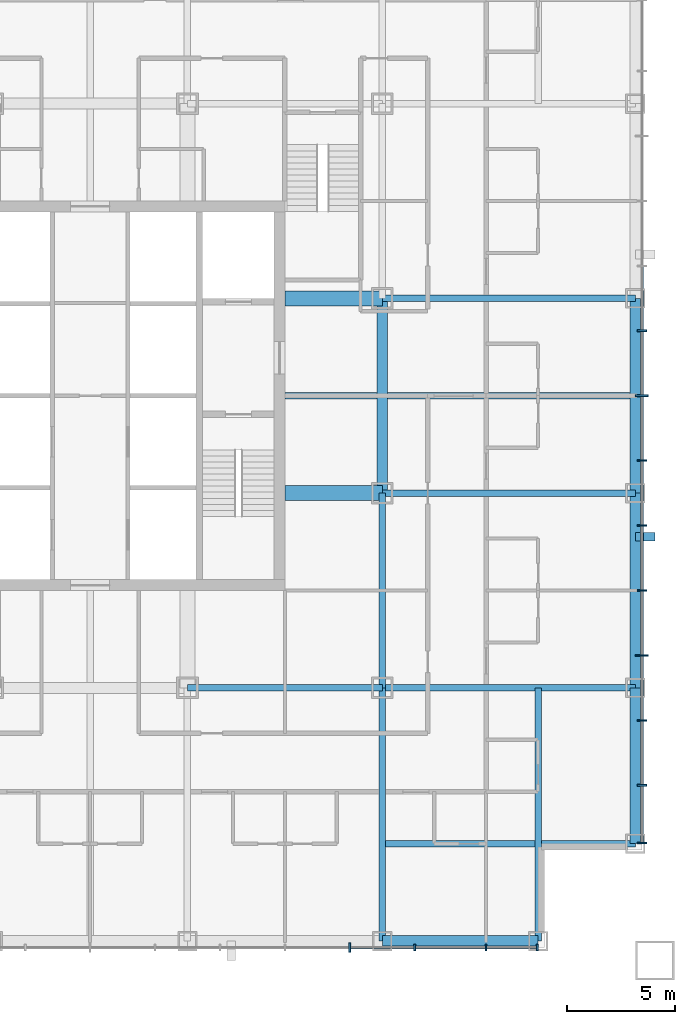
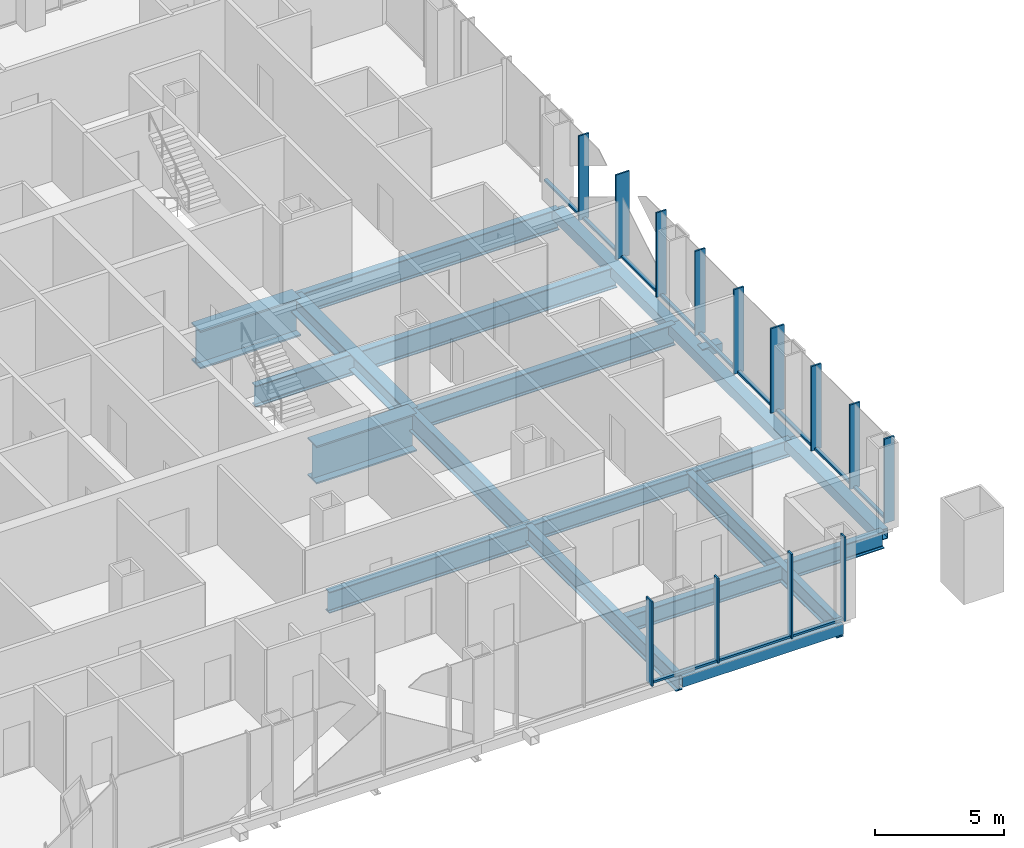
# One storey, part 3 of 13: 26 members, 16 beams, 2 elements without a shape of their own.
"""IFC4 building model written with IfcOpenShell, lengths in metres."""

from ifc_helpers import new_model, si_unit, direction, frame, origin, origin_2d, place, context, subcontext, project, spatial, rectangle, hollow_rectangle, i_section, extrude, material, layer, layer_set, material_profile, profile_set, type_object, element, aggregate, save


model = new_model("IFC4")

# Units and contexts
model_context = context("Model", 3, precision=1e-05, world=origin(), true_north=direction((0.0, 1.0)))
body_context = subcontext(model_context, "Body", "Model", "MODEL_VIEW")
ifc_project = project(units=[si_unit("LENGTHUNIT", "METRE"), si_unit("AREAUNIT", "SQUARE_METRE"), si_unit("VOLUMEUNIT", "CUBIC_METRE"), si_unit("PLANEANGLEUNIT", "RADIAN"), si_unit("MASSUNIT", "GRAM", prefix="KILO")], contexts=[model_context])

# Site, building, storey
site_placement = place(None, origin())
site = spatial("IfcSite", under=ifc_project, at=site_placement, CompositionType="ELEMENT")
building_placement = place(site_placement, origin())
building = spatial("IfcBuilding", under=site, at=building_placement, Name="Malebo Sky Hospital", CompositionType="ELEMENT")
storey_placement = place(building_placement, frame((0.0, 0.0, 43.0)))
storey = spatial("IfcBuildingStorey", under=building, at=storey_placement, Name="L09", CompositionType="ELEMENT", Elevation=43.0)

# Curtain wall, members
ifc_material_1 = material(Name="Anodised aluminium, natural silver", Category="aluminium")
ifc_layer_1 = layer(ifc_material_1, 0.25)
ifc_layer_set_1 = layer_set([ifc_layer_1], Name="WARD CURTAIN WALL NORTH AND SOUTH")
curtain_wall_type_1 = type_object("IfcCurtainWallType", Name="WARD CURTAIN WALL NORTH AND SOUTH", PredefinedType="NOTDEFINED", material=ifc_layer_set_1)
curtain_wall_1_placement = place(storey_placement, origin())
curtain_wall_1 = element("IfcCurtainWall", 1, at=curtain_wall_1_placement, inside=storey, type_object=curtain_wall_type_1, Name="NS curtain wall S", PredefinedType="NOTDEFINED")
ifc_material_profile_1 = material_profile(ifc_material_1, rectangle(XDim=0.14990234375, YDim=0.10009765625, at=origin_2d()), Name="ALUMINIUM TRANSOM 150x100")
ifc_profile_set_1 = profile_set([ifc_material_profile_1], Name="Anodised aluminium, natural silver")
member_type_1 = type_object("IfcMemberType", Name="ALUMINIUM TRANSOM 150x100", PredefinedType="USERDEFINED", material=ifc_profile_set_1)
member_1_placement = place(storey_placement, frame((80.625, 36.5, 0.050048828125), z_axis=(-1.0, 0.0, 0.0), x_axis=(0.0, -1.0, 0.0)))
member_1 = element("IfcMember", 2, at=member_1_placement, type_object=member_type_1, Name="Transom 1", ObjectType="TRANSOM", PredefinedType="USERDEFINED", context=body_context, shape_type="SweptSolid", body=[
    extrude(rectangle(XDim=0.14990234375, YDim=0.10009765625, at=origin_2d()), origin(), (0.0, 0.0, 1.0), 2.28759765625),
])
member_2_placement = place(storey_placement, frame((78.262451171875, 36.5, 0.050048828125), z_axis=(-1.0, 0.0, 0.0), x_axis=(0.0, -1.0, 0.0)))
member_2 = element("IfcMember", 3, at=member_2_placement, type_object=member_type_1, Name="Transom 2", ObjectType="TRANSOM", PredefinedType="USERDEFINED", context=body_context, shape_type="SweptSolid", body=[
    extrude(rectangle(XDim=0.14990234375, YDim=0.10009765625, at=origin_2d()), origin(), (0.0, 0.0, 1.0), 3.224853515625),
])
member_3_placement = place(storey_placement, frame((74.96240234375, 36.5, 0.050048828125), z_axis=(-1.0, 0.0, 0.0), x_axis=(0.0, -1.0, 0.0)))
member_3 = element("IfcMember", 4, at=member_3_placement, type_object=member_type_1, Name="Transom 3", ObjectType="TRANSOM", PredefinedType="USERDEFINED", context=body_context, shape_type="SweptSolid", body=[
    extrude(rectangle(XDim=0.14990234375, YDim=0.10009765625, at=origin_2d()), origin(), (0.0, 0.0, 1.0), 2.9248046875),
])

ifc_layer_2 = layer(ifc_material_1, 0.25)
ifc_layer_set_2 = layer_set([ifc_layer_2], Name="WARD CURTAIN WALL EAST AND WEST")
curtain_wall_type_2 = type_object("IfcCurtainWallType", Name="WARD CURTAIN WALL EAST AND WEST", PredefinedType="NOTDEFINED", material=ifc_layer_set_2)
curtain_wall_2_placement = place(storey_placement, origin())
curtain_wall_2 = element("IfcCurtainWall", 5, at=curtain_wall_2_placement, inside=storey, type_object=curtain_wall_type_2, Name="EW curtain wall E", PredefinedType="NOTDEFINED")
member_4_placement = place(storey_placement, frame((85.5, 67.96240234375, 0.050048828125), z_axis=(0.0, -1.0, 0.0), x_axis=(1.0, 0.0, 0.0)))
member_4 = element("IfcMember", 6, at=member_4_placement, type_object=member_type_1, Name="Transom 6", ObjectType="TRANSOM", PredefinedType="USERDEFINED", context=body_context, shape_type="SweptSolid", body=[
    extrude(rectangle(XDim=0.14990234375, YDim=0.10009765625, at=origin_2d()), origin(), (0.0, 0.0, 1.0), 2.9248046875),
])
member_5_placement = place(storey_placement, frame((85.5, 64.96240234375, 0.050048828125), z_axis=(0.0, -1.0, 0.0), x_axis=(1.0, 0.0, 0.0)))
member_5 = element("IfcMember", 7, at=member_5_placement, type_object=member_type_1, Name="Transom 7", ObjectType="TRANSOM", PredefinedType="USERDEFINED", context=body_context, shape_type="SweptSolid", body=[
    extrude(rectangle(XDim=0.14990234375, YDim=0.10009765625, at=origin_2d()), origin(), (0.0, 0.0, 1.0), 2.9248046875),
])
member_6_placement = place(storey_placement, frame((85.5, 61.96240234375, 0.050048828125), z_axis=(0.0, -1.0, 0.0), x_axis=(1.0, 0.0, 0.0)))
member_6 = element("IfcMember", 8, at=member_6_placement, type_object=member_type_1, Name="Transom 8", ObjectType="TRANSOM", PredefinedType="USERDEFINED", context=body_context, shape_type="SweptSolid", body=[
    extrude(rectangle(XDim=0.14990234375, YDim=0.10009765625, at=origin_2d()), origin(), (0.0, 0.0, 1.0), 2.9248046875),
])
member_7_placement = place(storey_placement, frame((85.5, 58.96240234375, 0.050048828125), z_axis=(0.0, -1.0, 0.0), x_axis=(1.0, 0.0, 0.0)))
member_7 = element("IfcMember", 9, at=member_7_placement, type_object=member_type_1, Name="Transom 9", ObjectType="TRANSOM", PredefinedType="USERDEFINED", context=body_context, shape_type="SweptSolid", body=[
    extrude(rectangle(XDim=0.14990234375, YDim=0.10009765625, at=origin_2d()), origin(), (0.0, 0.0, 1.0), 2.9248046875),
])
member_8_placement = place(storey_placement, frame((85.5, 55.96240234375, 0.050048828125), z_axis=(0.0, -1.0, 0.0), x_axis=(1.0, 0.0, 0.0)))
member_8 = element("IfcMember", 10, at=member_8_placement, type_object=member_type_1, Name="Transom 10", ObjectType="TRANSOM", PredefinedType="USERDEFINED", context=body_context, shape_type="SweptSolid", body=[
    extrude(rectangle(XDim=0.14990234375, YDim=0.10009765625, at=origin_2d()), origin(), (0.0, 0.0, 1.0), 2.9248046875),
])
member_9_placement = place(storey_placement, frame((85.5, 52.96240234375, 0.050048828125), z_axis=(0.0, -1.0, 0.0), x_axis=(1.0, 0.0, 0.0)))
member_9 = element("IfcMember", 11, at=member_9_placement, type_object=member_type_1, Name="Transom 11", ObjectType="TRANSOM", PredefinedType="USERDEFINED", context=body_context, shape_type="SweptSolid", body=[
    extrude(rectangle(XDim=0.14990234375, YDim=0.10009765625, at=origin_2d()), origin(), (0.0, 0.0, 1.0), 2.9248046875),
])
member_10_placement = place(storey_placement, frame((85.5, 49.96240234375, 0.050048828125), z_axis=(0.0, -1.0, 0.0), x_axis=(1.0, 0.0, 0.0)))
member_10 = element("IfcMember", 12, at=member_10_placement, type_object=member_type_1, Name="Transom 12", ObjectType="TRANSOM", PredefinedType="USERDEFINED", context=body_context, shape_type="SweptSolid", body=[
    extrude(rectangle(XDim=0.14990234375, YDim=0.10009765625, at=origin_2d()), origin(), (0.0, 0.0, 1.0), 2.9248046875),
])
member_11_placement = place(storey_placement, frame((85.5, 46.96240234375, 0.050048828125), z_axis=(0.0, -1.0, 0.0), x_axis=(1.0, 0.0, 0.0)))
member_11 = element("IfcMember", 13, at=member_11_placement, type_object=member_type_1, Name="Transom 13", ObjectType="TRANSOM", PredefinedType="USERDEFINED", context=body_context, shape_type="SweptSolid", body=[
    extrude(rectangle(XDim=0.14990234375, YDim=0.10009765625, at=origin_2d()), origin(), (0.0, 0.0, 1.0), 2.9248046875),
])
member_12_placement = place(storey_placement, frame((85.5, 43.96240234375, 0.050048828125), z_axis=(0.0, -1.0, 0.0), x_axis=(1.0, 0.0, 0.0)))
member_12 = element("IfcMember", 14, at=member_12_placement, type_object=member_type_1, Name="Transom 14", ObjectType="TRANSOM", PredefinedType="USERDEFINED", context=body_context, shape_type="SweptSolid", body=[
    extrude(rectangle(XDim=0.14990234375, YDim=0.10009765625, at=origin_2d()), origin(), (0.0, 0.0, 1.0), 2.58740234375),
])

# Member
ifc_material_2 = material(Name="Steel S355", Category="steel")
ifc_material_profile_2 = material_profile(ifc_material_2, hollow_rectangle(XDim=0.39990234375, YDim=0.39990234375, WallThickness=0.02001953125, at=origin_2d()), Name="SHS 400x20")
ifc_profile_set_2 = profile_set([ifc_material_profile_2], Name="Steel S355")
member_type_2 = type_object("IfcMemberType", Name="BRACE STRUT SHS 400x20", PredefinedType="STRUT", material=ifc_profile_set_2)
member_13_placement = place(storey_placement, frame((86.10009765625, 55.47509765625, -0.39990234375), z_axis=(-1.0, 0.0, 0.0), x_axis=(0.0, -1.0, 0.0)))
element("IfcMember", 15, at=member_13_placement, inside=storey, type_object=member_type_2, Name="Brace strut AE1 L09", PredefinedType="STRUT", context=body_context, shape_type="SweptSolid", body=[
    extrude(hollow_rectangle(XDim=0.39990234375, YDim=0.39990234375, WallThickness=0.02001953125, at=origin_2d()), origin(), (0.0, 0.0, 1.0), 0.900146484375),
])

ifc_material_profile_3 = material_profile(ifc_material_1, rectangle(XDim=0.074951171875, YDim=0.300048828125, at=origin_2d()), Name="CW1 ALUMINIUM FIN MULLION 75x300")
ifc_profile_set_3 = profile_set([ifc_material_profile_3], Name="Anodised aluminium, natural silver")
member_type_3 = type_object("IfcMemberType", Name="CW1 ALUMINIUM FIN MULLION 75x300", PredefinedType="MULLION", material=ifc_profile_set_3)
member_14_placement = place(storey_placement, frame((80.66259765625, 36.5, 0.0), z_axis=(0.0, 0.0, 1.0), x_axis=(-1.0, 0.0, 0.0)))
member_14 = element("IfcMember", 16, at=member_14_placement, type_object=member_type_3, Name="Fin mullion 1", PredefinedType="MULLION", context=body_context, shape_type="SweptSolid", body=[
    extrude(rectangle(XDim=0.074951171875, YDim=0.300048828125, at=origin_2d()), origin(), (0.0, 0.0, 1.0), 4.0),
])

member_15_placement = place(storey_placement, frame((78.300048828125, 36.5, 0.0), z_axis=(0.0, 0.0, 1.0), x_axis=(-1.0, 0.0, 0.0)))
member_15 = element("IfcMember", 17, at=member_15_placement, type_object=member_type_3, Name="Fin mullion 2", PredefinedType="MULLION", context=body_context, shape_type="SweptSolid", body=[
    extrude(rectangle(XDim=0.074951171875, YDim=0.300048828125, at=origin_2d()), origin(), (0.0, 0.0, 1.0), 4.0),
])

member_16_placement = place(storey_placement, frame((75.0, 36.5, 0.0), z_axis=(0.0, 0.0, 1.0), x_axis=(-1.0, 0.0, 0.0)))
member_16 = element("IfcMember", 18, at=member_16_placement, type_object=member_type_3, Name="Fin mullion 3", PredefinedType="MULLION", context=body_context, shape_type="SweptSolid", body=[
    extrude(rectangle(XDim=0.074951171875, YDim=0.300048828125, at=origin_2d()), origin(), (0.0, 0.0, 1.0), 4.0),
])

ifc_material_profile_4 = material_profile(ifc_material_1, rectangle(XDim=0.074951171875, YDim=0.449951171875, at=origin_2d()), Name="CW1 ALUMINIUM FIN MULLION 75x450")
ifc_profile_set_4 = profile_set([ifc_material_profile_4], Name="Anodised aluminium, natural silver")
member_type_4 = type_object("IfcMemberType", Name="CW1 ALUMINIUM FIN MULLION 75x450", PredefinedType="MULLION", material=ifc_profile_set_4)
member_17_placement = place(storey_placement, frame((72.0, 36.5, 0.0), z_axis=(0.0, 0.0, 1.0), x_axis=(-1.0, 0.0, 0.0)))
member_17 = element("IfcMember", 19, at=member_17_placement, type_object=member_type_4, Name="Fin mullion 4", PredefinedType="MULLION", context=body_context, shape_type="SweptSolid", body=[
    extrude(rectangle(XDim=0.074951171875, YDim=0.449951171875, at=origin_2d()), origin(), (0.0, 0.0, 1.0), 4.0),
])

aggregate(curtain_wall_1, [member_14, member_15, member_16, member_17, member_1, member_2, member_3])

ifc_material_profile_5 = material_profile(ifc_material_1, rectangle(XDim=0.074951171875, YDim=0.449951171875, at=origin_2d()), Name="CW2 ALUMINIUM FIN MULLION 75x450")
ifc_profile_set_5 = profile_set([ifc_material_profile_5], Name="Anodised aluminium, natural silver")
member_type_5 = type_object("IfcMemberType", Name="CW2 ALUMINIUM FIN MULLION 75x450", PredefinedType="MULLION", material=ifc_profile_set_5)
member_18_placement = place(storey_placement, frame((85.5, 65.0, 0.0), z_axis=(0.0, 0.0, 1.0), x_axis=(0.0, -1.0, 0.0)))
member_18 = element("IfcMember", 20, at=member_18_placement, type_object=member_type_5, Name="Fin mullion 7", PredefinedType="MULLION", context=body_context, shape_type="SweptSolid", body=[
    extrude(rectangle(XDim=0.074951171875, YDim=0.449951171875, at=origin_2d()), origin(), (0.0, 0.0, 1.0), 4.0),
])

member_19_placement = place(storey_placement, frame((85.5, 59.0, 0.0), z_axis=(0.0, 0.0, 1.0), x_axis=(0.0, -1.0, 0.0)))
member_19 = element("IfcMember", 21, at=member_19_placement, type_object=member_type_5, Name="Fin mullion 9", PredefinedType="MULLION", context=body_context, shape_type="SweptSolid", body=[
    extrude(rectangle(XDim=0.074951171875, YDim=0.449951171875, at=origin_2d()), origin(), (0.0, 0.0, 1.0), 4.0),
])

member_20_placement = place(storey_placement, frame((85.5, 56.0, 0.0), z_axis=(0.0, 0.0, 1.0), x_axis=(0.0, -1.0, 0.0)))
member_20 = element("IfcMember", 22, at=member_20_placement, type_object=member_type_5, Name="Fin mullion 10", PredefinedType="MULLION", context=body_context, shape_type="SweptSolid", body=[
    extrude(rectangle(XDim=0.074951171875, YDim=0.449951171875, at=origin_2d()), origin(), (0.0, 0.0, 1.0), 4.0),
])

member_21_placement = place(storey_placement, frame((85.5, 53.0, 0.0), z_axis=(0.0, 0.0, 1.0), x_axis=(0.0, -1.0, 0.0)))
member_21 = element("IfcMember", 23, at=member_21_placement, type_object=member_type_5, Name="Fin mullion 11", PredefinedType="MULLION", context=body_context, shape_type="SweptSolid", body=[
    extrude(rectangle(XDim=0.074951171875, YDim=0.449951171875, at=origin_2d()), origin(), (0.0, 0.0, 1.0), 4.0),
])

member_22_placement = place(storey_placement, frame((85.5, 47.0, 0.0), z_axis=(0.0, 0.0, 1.0), x_axis=(0.0, -1.0, 0.0)))
member_22 = element("IfcMember", 24, at=member_22_placement, type_object=member_type_5, Name="Fin mullion 13", PredefinedType="MULLION", context=body_context, shape_type="SweptSolid", body=[
    extrude(rectangle(XDim=0.074951171875, YDim=0.449951171875, at=origin_2d()), origin(), (0.0, 0.0, 1.0), 4.0),
])

member_23_placement = place(storey_placement, frame((85.5, 44.0, 0.0), z_axis=(0.0, 0.0, 1.0), x_axis=(0.0, -1.0, 0.0)))
member_23 = element("IfcMember", 25, at=member_23_placement, type_object=member_type_5, Name="Fin mullion 14", PredefinedType="MULLION", context=body_context, shape_type="SweptSolid", body=[
    extrude(rectangle(XDim=0.074951171875, YDim=0.449951171875, at=origin_2d()), origin(), (0.0, 0.0, 1.0), 4.0),
])

member_24_placement = place(storey_placement, frame((85.5, 41.33740234375, 0.0), z_axis=(0.0, 0.0, 1.0), x_axis=(0.0, -1.0, 0.0)))
member_24 = element("IfcMember", 26, at=member_24_placement, type_object=member_type_5, Name="Fin mullion 15", PredefinedType="MULLION", context=body_context, shape_type="SweptSolid", body=[
    extrude(rectangle(XDim=0.074951171875, YDim=0.449951171875, at=origin_2d()), origin(), (0.0, 0.0, 1.0), 4.0),
])

ifc_material_profile_6 = material_profile(ifc_material_1, rectangle(XDim=0.074951171875, YDim=0.60009765625, at=origin_2d()), Name="CW2 ALUMINIUM FIN MULLION 75x600")
ifc_profile_set_6 = profile_set([ifc_material_profile_6], Name="Anodised aluminium, natural silver")
member_type_6 = type_object("IfcMemberType", Name="CW2 ALUMINIUM FIN MULLION 75x600", PredefinedType="MULLION", material=ifc_profile_set_6)
member_25_placement = place(storey_placement, frame((85.5, 62.0, 0.0), z_axis=(0.0, 0.0, 1.0), x_axis=(0.0, -1.0, 0.0)))
member_25 = element("IfcMember", 27, at=member_25_placement, type_object=member_type_6, Name="Fin mullion 8", PredefinedType="MULLION", context=body_context, shape_type="SweptSolid", body=[
    extrude(rectangle(XDim=0.074951171875, YDim=0.60009765625, at=origin_2d()), origin(), (0.0, 0.0, 1.0), 4.0),
])

member_26_placement = place(storey_placement, frame((85.5, 50.0, 0.0), z_axis=(0.0, 0.0, 1.0), x_axis=(0.0, -1.0, 0.0)))
member_26 = element("IfcMember", 28, at=member_26_placement, type_object=member_type_6, Name="Fin mullion 12", PredefinedType="MULLION", context=body_context, shape_type="SweptSolid", body=[
    extrude(rectangle(XDim=0.074951171875, YDim=0.60009765625, at=origin_2d()), origin(), (0.0, 0.0, 1.0), 4.0),
])

aggregate(curtain_wall_2, [member_18, member_25, member_19, member_20, member_21, member_26, member_22, member_23, member_24, member_4, member_5, member_6, member_7, member_8, member_9, member_10, member_11, member_12])

# Beams
ifc_material_3 = material(Name="Steel S460", Category="steel")
ifc_material_profile_7 = material_profile(ifc_material_3, hollow_rectangle(XDim=0.5, YDim=0.5, WallThickness=0.030029296875, at=origin_2d()), Name="BOX 500x500x30")
ifc_profile_set_7 = profile_set([ifc_material_profile_7], Name="Steel S460")
beam_type_1 = type_object("IfcBeamType", Name="EDGE BEAM BOX 500x500x30", PredefinedType="BEAM", material=ifc_profile_set_7)
beam_1_placement = place(storey_placement, frame((85.199951171875, 41.300048828125, -0.5), z_axis=(0.0, 1.0, 0.0), x_axis=(-1.0, 0.0, 0.0)))
element("IfcBeam", 29, at=beam_1_placement, inside=storey, type_object=beam_type_1, Name="Beam 029 L09", PredefinedType="BEAM", context=body_context, shape_type="SweptSolid", body=[
    extrude(hollow_rectangle(XDim=0.5, YDim=0.5, WallThickness=0.030029296875, at=origin_2d()), origin(), (0.0, 0.0, 1.0), 7.199951171875),
])
for number, where, z_axis, x_axis, name in (
    (30, (85.199951171875, 48.5, -0.5), (0.0, 1.0, 0.0), (-1.0, 0.0, 0.0), "Beam 030 L09"),
    (31, (85.199951171875, 57.5, -0.5), (0.0, 1.0, 0.0), (-1.0, 0.0, 0.0), "Beam 031 L09"),
):
    element("IfcBeam", number, at=place(storey_placement, frame(where, z_axis=z_axis, x_axis=x_axis)), inside=storey, type_object=beam_type_1, Name=name, PredefinedType="BEAM", context=body_context, shape_type="SweptSolid", body=[
        extrude(hollow_rectangle(XDim=0.5, YDim=0.5, WallThickness=0.030029296875, at=origin_2d()), origin(), (0.0, 0.0, 1.0), 9.0),
    ])
beam_2_placement = place(storey_placement, frame((73.5, 36.800048828125, -0.5), z_axis=(1.0, 0.0, 0.0), x_axis=(0.0, 1.0, 0.0)))
element("IfcBeam", 32, at=beam_2_placement, inside=storey, type_object=beam_type_1, Name="Beam 038 L09", PredefinedType="BEAM", context=body_context, shape_type="SweptSolid", body=[
    extrude(hollow_rectangle(XDim=0.5, YDim=0.5, WallThickness=0.030029296875, at=origin_2d()), origin(), (0.0, 0.0, 1.0), 7.199951171875),
])
ifc_material_profile_8 = material_profile(ifc_material_2, i_section(OverallWidth=0.300048828125, OverallDepth=1.0, WebThickness=0.01904296875, FlangeThickness=0.035888671875, FilletRadius=0.030029296875, at=origin_2d()), Name="HEB 1000")
ifc_profile_set_8 = profile_set([ifc_material_profile_8], Name="Steel S355")
beam_type_2 = type_object("IfcBeamType", Name="FLOOR BEAM HEB 1000", PredefinedType="BEAM", material=ifc_profile_set_8)
for number, where, z_axis, x_axis, name in (
    (33, (73.5, 48.5, -0.75), (0.0, 1.0, 0.0), (-1.0, 0.0, 0.0), "Beam 023 L09"),
    (34, (64.5, 48.5, -0.75), (1.0, 0.0, 0.0), (0.0, 1.0, 0.0), "Beam 044 L09"),
):
    element("IfcBeam", number, at=place(storey_placement, frame(where, z_axis=z_axis, x_axis=x_axis)), inside=storey, type_object=beam_type_2, Name=name, PredefinedType="BEAM", context=body_context, shape_type="SweptSolid", body=[
        extrude(i_section(OverallWidth=0.300048828125, OverallDepth=1.0, WebThickness=0.01904296875, FlangeThickness=0.035888671875, FilletRadius=0.030029296875, at=origin_2d()), origin(), (0.0, 0.0, 1.0), 9.0),
    ])
beam_3_placement = place(storey_placement, frame((73.5, 57.5, -0.75), z_axis=(1.0, 0.0, 0.0), x_axis=(0.0, 1.0, 0.0)))
element("IfcBeam", 35, at=beam_3_placement, inside=storey, type_object=beam_type_2, Name="Beam 049 L09", PredefinedType="BEAM", context=body_context, shape_type="SweptSolid", body=[
    extrude(i_section(OverallWidth=0.300048828125, OverallDepth=1.0, WebThickness=0.01904296875, FlangeThickness=0.035888671875, FilletRadius=0.030029296875, at=origin_2d()), origin(), (0.0, 0.0, 1.0), 11.699951171875),
])
beam_4_placement = place(storey_placement, frame((69.0, 62.0, -0.75), z_axis=(1.0, 0.0, 0.0), x_axis=(0.0, 1.0, 0.0)))
element("IfcBeam", 36, at=beam_4_placement, inside=storey, type_object=beam_type_2, Name="Beam 051 L09", PredefinedType="BEAM", context=body_context, shape_type="SweptSolid", body=[
    extrude(i_section(OverallWidth=0.300048828125, OverallDepth=1.0, WebThickness=0.01904296875, FlangeThickness=0.035888671875, FilletRadius=0.030029296875, at=origin_2d()), origin(), (0.0, 0.0, 1.0), 16.199951171875),
])
beam_5_placement = place(storey_placement, frame((73.5, 66.5, -0.75), z_axis=(1.0, 0.0, 0.0), x_axis=(0.0, 1.0, 0.0)))
element("IfcBeam", 37, at=beam_5_placement, inside=storey, type_object=beam_type_2, Name="Beam 055 L09", PredefinedType="BEAM", context=body_context, shape_type="SweptSolid", body=[
    extrude(i_section(OverallWidth=0.300048828125, OverallDepth=1.0, WebThickness=0.01904296875, FlangeThickness=0.035888671875, FilletRadius=0.030029296875, at=origin_2d()), origin(), (0.0, 0.0, 1.0), 11.699951171875),
])
ifc_material_profile_9 = material_profile(ifc_material_2, i_section(OverallWidth=0.300048828125, OverallDepth=0.800048828125, WebThickness=0.017578125, FlangeThickness=0.032958984375, FilletRadius=0.030029296875, at=origin_2d()), Name="HEB 800")
ifc_profile_set_9 = profile_set([ifc_material_profile_9], Name="Steel S355")
beam_type_3 = type_object("IfcBeamType", Name="FLOOR BEAM HEB 800", PredefinedType="BEAM", material=ifc_profile_set_9)
for number, where, z_axis, x_axis, name in (
    (38, (80.699951171875, 36.800048828125, -0.64990234375), (0.0, 1.0, 0.0), (-1.0, 0.0, 0.0), "Beam 027 L09"),
    (39, (73.5, 41.300048828125, -0.64990234375), (1.0, 0.0, 0.0), (0.0, 1.0, 0.0), "Beam 040 L09"),
):
    element("IfcBeam", number, at=place(storey_placement, frame(where, z_axis=z_axis, x_axis=x_axis)), inside=storey, type_object=beam_type_3, Name=name, PredefinedType="BEAM", context=body_context, shape_type="SweptSolid", body=[
        extrude(i_section(OverallWidth=0.300048828125, OverallDepth=0.800048828125, WebThickness=0.017578125, FlangeThickness=0.032958984375, FilletRadius=0.030029296875, at=origin_2d()), origin(), (0.0, 0.0, 1.0), 11.699951171875),
    ])
ifc_material_profile_10 = material_profile(ifc_material_2, i_section(OverallWidth=0.699951171875, OverallDepth=1.800048828125, WebThickness=0.034912109375, FlangeThickness=0.070068359375, at=origin_2d()), Name="PG 1800x700x35x70")
ifc_profile_set_10 = profile_set([ifc_material_profile_10], Name="Steel S355")
beam_type_4 = type_object("IfcBeamType", Name="FLOOR BEAM PG 1800x700x35x70", PredefinedType="BEAM", material=ifc_profile_set_10)
for number, where, z_axis, x_axis, name in (
    (40, (69.0, 57.5, -1.14990234375), (1.0, 0.0, 0.0), (0.0, 1.0, 0.0), "Beam 048 L09"),
    (41, (69.0, 66.5, -1.14990234375), (1.0, 0.0, 0.0), (0.0, 1.0, 0.0), "Beam 054 L09"),
):
    element("IfcBeam", number, at=place(storey_placement, frame(where, z_axis=z_axis, x_axis=x_axis)), inside=storey, type_object=beam_type_4, Name=name, PredefinedType="BEAM", context=body_context, shape_type="SweptSolid", body=[
        extrude(i_section(OverallWidth=0.699951171875, OverallDepth=1.800048828125, WebThickness=0.034912109375, FlangeThickness=0.070068359375, at=origin_2d()), origin(), (0.0, 0.0, 1.0), 4.5),
    ])
ifc_material_profile_11 = material_profile(ifc_material_2, i_section(OverallWidth=0.300048828125, OverallDepth=0.800048828125, WebThickness=0.017578125, FlangeThickness=0.032958984375, FilletRadius=0.030029296875, at=origin_2d()), Name="HEB 800")
ifc_profile_set_11 = profile_set([ifc_material_profile_11], Name="Steel S355")
beam_type_5 = type_object("IfcBeamType", Name="FLOOR GIRDER HEB 800", PredefinedType="BEAM", material=ifc_profile_set_11)
for number, where, z_axis, x_axis, name in (
    (42, (73.5, 36.800048828125, -0.64990234375), (0.0, 1.0, 0.0), (-1.0, 0.0, 0.0), "Beam 022 L09"),
    (43, (73.5, 48.5, -0.64990234375), (1.0, 0.0, 0.0), (0.0, 1.0, 0.0), "Beam 045 L09"),
):
    element("IfcBeam", number, at=place(storey_placement, frame(where, z_axis=z_axis, x_axis=x_axis)), inside=storey, type_object=beam_type_5, Name=name, PredefinedType="BEAM", context=body_context, shape_type="SweptSolid", body=[
        extrude(i_section(OverallWidth=0.300048828125, OverallDepth=0.800048828125, WebThickness=0.017578125, FlangeThickness=0.032958984375, FilletRadius=0.030029296875, at=origin_2d()), origin(), (0.0, 0.0, 1.0), 11.699951171875),
    ])
ifc_material_profile_12 = material_profile(ifc_material_2, i_section(OverallWidth=0.5, OverallDepth=0.800048828125, WebThickness=0.030029296875, FlangeThickness=0.050048828125, at=origin_2d()), Name="PG 800x500x30x50")
ifc_profile_set_12 = profile_set([ifc_material_profile_12], Name="Steel S355")
beam_type_6 = type_object("IfcBeamType", Name="RING GIRDER PG 800x500x30x50", PredefinedType="BEAM", material=ifc_profile_set_12)
beam_6_placement = place(storey_placement, frame((73.5, 57.5, -0.64990234375), z_axis=(0.0, 1.0, 0.0), x_axis=(-1.0, 0.0, 0.0)))
element("IfcBeam", 44, at=beam_6_placement, inside=storey, type_object=beam_type_6, Name="Beam 024 L09", PredefinedType="BEAM", context=body_context, shape_type="SweptSolid", body=[
    extrude(i_section(OverallWidth=0.5, OverallDepth=0.800048828125, WebThickness=0.030029296875, FlangeThickness=0.050048828125, at=origin_2d()), origin(), (0.0, 0.0, 1.0), 9.0),
])

save(model, "model.ifc")
